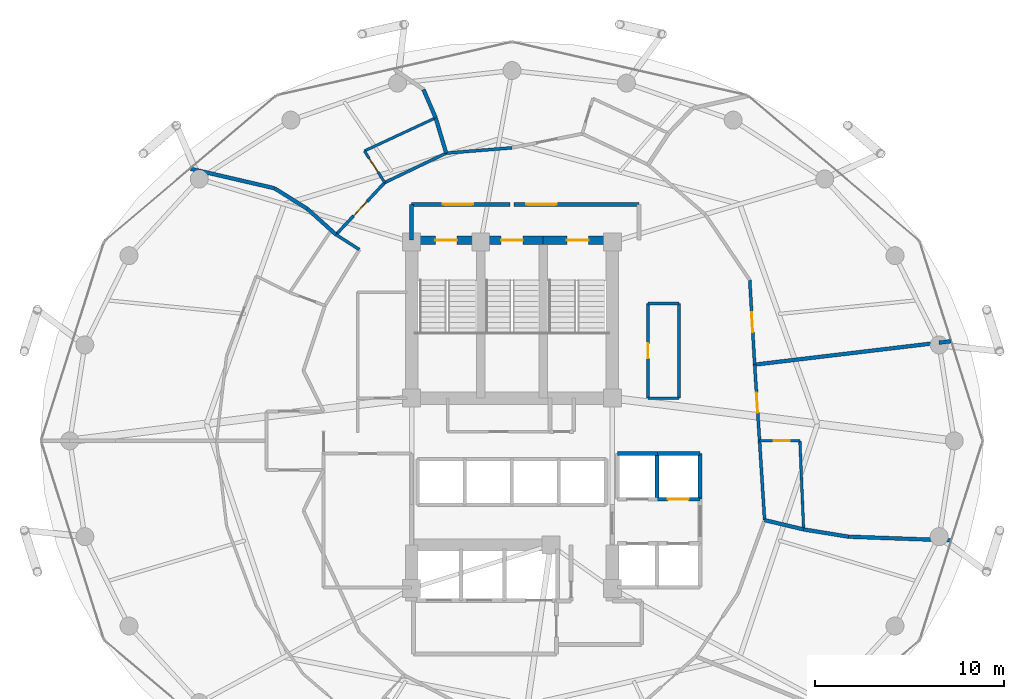
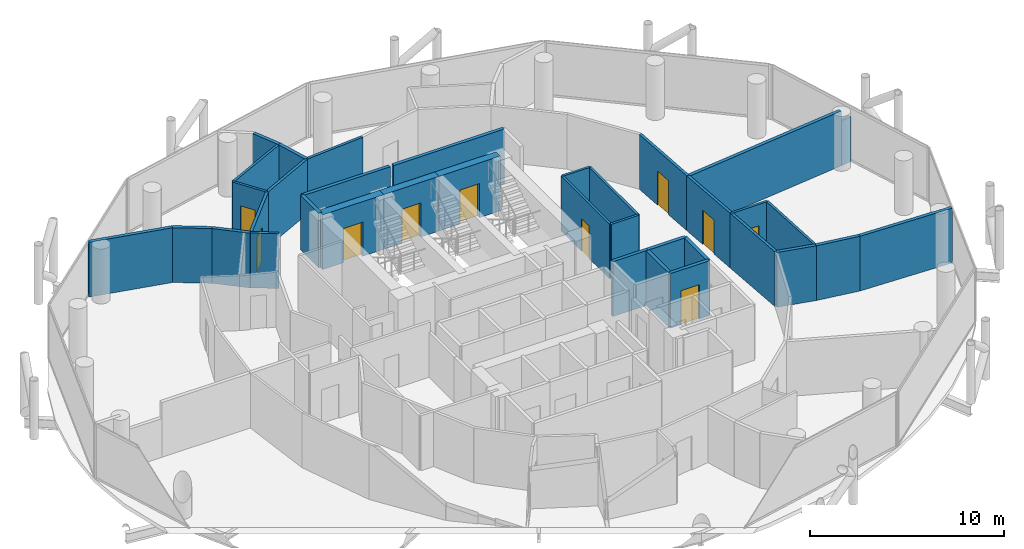
# One storey, part 24 of 26: 36 walls, 12 doors, 12 openings.
"""IFC4 building model written with IfcOpenShell, lengths in metres."""

from ifc_helpers import new_model, si_unit, direction, frame, frame_2d, origin, place, context, subcontext, project, spatial, rectangle, extrude, material, layer, layer_set, type_object, element, fill, save


model = new_model("IFC4")

# Units and contexts
model_context = context("Model", 3, precision=1e-05, world=origin(), true_north=direction((0.0, 1.0)))
body_context = subcontext(model_context, "Body", "Model", "MODEL_VIEW")
ifc_project = project(units=[si_unit("LENGTHUNIT", "METRE"), si_unit("AREAUNIT", "SQUARE_METRE"), si_unit("VOLUMEUNIT", "CUBIC_METRE"), si_unit("PLANEANGLEUNIT", "RADIAN"), si_unit("MASSUNIT", "GRAM", prefix="KILO")], contexts=[model_context])

# Site, building, storey
site_placement = place(None, origin())
site = spatial("IfcSite", under=ifc_project, at=site_placement, CompositionType="ELEMENT")
building_placement = place(site_placement, origin())
building = spatial("IfcBuilding", under=site, at=building_placement, Name="Nuhasar Tower", CompositionType="ELEMENT")
storey_placement = place(building_placement, frame((0.0, 0.0, 121.949951171875)))
storey = spatial("IfcBuildingStorey", under=building, at=storey_placement, Name="L28", CompositionType="ELEMENT", Elevation=121.949951171875)

# Wall, opening, door
ifc_material_1 = material(Name="Concrete C50/60", Category="concrete")
ifc_layer_1 = layer(ifc_material_1, 0.449951171875)
ifc_layer_set_1 = layer_set([ifc_layer_1], Name="Concrete C50/60")
wall_type_1 = type_object("IfcWallType", Name="WL-CORE-450", PredefinedType="SHEAR", material=ifc_layer_set_1)
wall_1_placement = place(storey_placement, frame((37.35009765625, 37.39990234375, 0.0), z_axis=(0.0, 0.0, 1.0), x_axis=(-1.0, 0.0, 0.0)))
wall_1 = element("IfcWall", 1, at=wall_1_placement, inside=storey, type_object=wall_type_1, Name="L28 Stairwell Shear Wall ST01-N", PredefinedType="SHEAR", context=body_context, shape_type="SweptSolid", body=[
    extrude(rectangle(XDim=3.650146484375, YDim=0.449951171875, at=frame_2d((1.8251953125, 0.0))), origin(), (0.0, 0.0, 1.0), 3.449951171875),
])
opening_1_placement = place(wall_1_placement, frame((1.25, 0.0, 0.0)))
opening_1 = element("IfcOpeningElement", 2, at=opening_1_placement, cuts=wall_1, Name="Opening DS-01", PredefinedType="OPENING", context=body_context, shape_type="SweptSolid", body=[
    extrude(rectangle(XDim=1.14990234375, YDim=2.14990234375, at=frame_2d((0.574951171875, 1.074951171875))), frame((0.0, 0.23486328125, 0.0), z_axis=(0.0, -1.0, 0.0), x_axis=(1.0, 0.0, 0.0)), (0.0, 0.0, 1.0), 0.469970703125),
])
ifc_material_2 = material(Name="Steel S355", Category="steel")
door_type_1 = type_object("IfcDoorType", Name="DR-STAIR-FD120-1150", OperationType="NOTDEFINED", PredefinedType="DOOR", material=ifc_material_2)
door_1_placement = place(opening_1_placement, origin())
door_1 = element("IfcDoor", 3, at=door_1_placement, inside=storey, type_object=door_type_1, Name="L28 Exit Stair ST-01 Door", OperationType="SINGLE_SWING_RIGHT", OverallHeight=2.14990234375, OverallWidth=1.14990234375, PredefinedType="DOOR", context=body_context, shape_type="SweptSolid", body=[
    extrude(rectangle(XDim=1.14990234375, YDim=2.14990234375, at=frame_2d((0.574951171875, 1.074951171875))), frame((0.0, 0.02490234375, 0.0), z_axis=(0.0, -1.0, 0.0), x_axis=(1.0, 0.0, 0.0)), (0.0, 0.0, 1.0), 0.050048828125),
])
fill(opening_1, door_1)

wall_2_placement = place(storey_placement, frame((40.64990234375, 37.39990234375, 0.0), z_axis=(0.0, 0.0, 1.0), x_axis=(-1.0, 0.0, 0.0)))
wall_2 = element("IfcWall", 4, at=wall_2_placement, inside=storey, type_object=wall_type_1, Name="L28 Stairwell Shear Wall ST03-N", PredefinedType="SHEAR", context=body_context, shape_type="SweptSolid", body=[
    extrude(rectangle(XDim=3.2998046875, YDim=0.449951171875, at=frame_2d((1.64990234375, 0.0))), origin(), (0.0, 0.0, 1.0), 3.449951171875),
])
opening_2_placement = place(wall_2_placement, frame((1.074951171875, 0.0, 0.0)))
opening_2 = element("IfcOpeningElement", 5, at=opening_2_placement, cuts=wall_2, Name="Opening DS-01", PredefinedType="OPENING", context=body_context, shape_type="SweptSolid", body=[
    extrude(rectangle(XDim=1.14990234375, YDim=2.14990234375, at=frame_2d((0.574951171875, 1.074951171875))), frame((0.0, 0.23486328125, 0.0), z_axis=(0.0, -1.0, 0.0), x_axis=(1.0, 0.0, 0.0)), (0.0, 0.0, 1.0), 0.469970703125),
])
door_2_placement = place(opening_2_placement, origin())
door_2 = element("IfcDoor", 6, at=door_2_placement, inside=storey, type_object=door_type_1, Name="L28 Exit Stair ST-03 Door", OperationType="SINGLE_SWING_RIGHT", OverallHeight=2.14990234375, OverallWidth=1.14990234375, PredefinedType="DOOR", context=body_context, shape_type="SweptSolid", body=[
    extrude(rectangle(XDim=1.14990234375, YDim=2.14990234375, at=frame_2d((0.574951171875, 1.074951171875))), frame((0.0, 0.02490234375, 0.0), z_axis=(0.0, -1.0, 0.0), x_axis=(1.0, 0.0, 0.0)), (0.0, 0.0, 1.0), 0.050048828125),
])
fill(opening_2, door_2)

wall_3_placement = place(storey_placement, frame((44.300048828125, 37.39990234375, 0.0), z_axis=(0.0, 0.0, 1.0), x_axis=(-1.0, 0.0, 0.0)))
wall_3 = element("IfcWall", 7, at=wall_3_placement, inside=storey, type_object=wall_type_1, Name="L28 Stairwell Shear Wall ST02-N", PredefinedType="SHEAR", context=body_context, shape_type="SweptSolid", body=[
    extrude(rectangle(XDim=3.650146484375, YDim=0.449951171875, at=frame_2d((1.8251953125, 0.0))), origin(), (0.0, 0.0, 1.0), 3.449951171875),
])
opening_3_placement = place(wall_3_placement, frame((1.25, 0.0, 0.0)))
opening_3 = element("IfcOpeningElement", 8, at=opening_3_placement, cuts=wall_3, Name="Opening DS-01", PredefinedType="OPENING", context=body_context, shape_type="SweptSolid", body=[
    extrude(rectangle(XDim=1.14990234375, YDim=2.14990234375, at=frame_2d((0.574951171875, 1.074951171875))), frame((0.0, 0.23486328125, 0.0), z_axis=(0.0, -1.0, 0.0), x_axis=(1.0, 0.0, 0.0)), (0.0, 0.0, 1.0), 0.469970703125),
])
door_3_placement = place(opening_3_placement, origin())
door_3 = element("IfcDoor", 9, at=door_3_placement, inside=storey, type_object=door_type_1, Name="L28 Exit Stair ST-02 Door", OperationType="SINGLE_SWING_LEFT", OverallHeight=2.14990234375, OverallWidth=1.14990234375, PredefinedType="DOOR", context=body_context, shape_type="SweptSolid", body=[
    extrude(rectangle(XDim=1.14990234375, YDim=2.14990234375, at=frame_2d((0.574951171875, 1.074951171875))), frame((0.0, 0.02490234375, 0.0), z_axis=(0.0, -1.0, 0.0), x_axis=(1.0, 0.0, 0.0)), (0.0, 0.0, 1.0), 0.050048828125),
])
fill(opening_3, door_3)

# Wall
ifc_material_3 = material(Name="Gypsum Board", Category="gypsum")
ifc_layer_2 = layer(ifc_material_3, 0.159912109375)
ifc_layer_set_2 = layer_set([ifc_layer_2], Name="Gypsum Board")
wall_type_2 = type_object("IfcWallType", Name="WL-CORR-160", PredefinedType="PARTITIONING", material=ifc_layer_set_2)
wall_4_placement = place(storey_placement, frame((52.3369140625, 22.614013671875, 0.0), z_axis=(0.0, 0.0, 1.0), x_axis=(-0.063617518313, 0.997974354061, 0.0)))
element("IfcWall", 10, at=wall_4_placement, inside=storey, type_object=wall_type_2, Name="L28 Interior Partition CORR-46", PredefinedType="PARTITIONING", context=body_context, shape_type="SweptSolid", body=[
    extrude(rectangle(XDim=4.194580078125, YDim=0.159912109375, at=frame_2d((2.09716796875, 0.0))), origin(), (0.0, 0.0, 1.0), 3.449951171875),
])

# Wall, opening, door
wall_5_placement = place(storey_placement, frame((51.81201171875, 30.822021484375, 0.0), z_axis=(0.0, 0.0, 1.0), x_axis=(0.064030047677, -0.997947971086, 0.0)))
wall_5 = element("IfcWall", 11, at=wall_5_placement, inside=storey, type_object=wall_type_2, Name="L28 Interior Partition CORR-00", PredefinedType="PARTITIONING", context=body_context, shape_type="SweptSolid", body=[
    extrude(rectangle(XDim=4.0302734375, YDim=0.159912109375, at=frame_2d((2.01513671875, 0.0))), origin(), (0.0, 0.0, 1.0), 3.449951171875),
])
opening_4_placement = place(wall_5_placement, frame((1.489990234375, 0.0, 0.0)))
opening_4 = element("IfcOpeningElement", 12, at=opening_4_placement, cuts=wall_5, Name="Opening DU-01", PredefinedType="OPENING", context=body_context, shape_type="SweptSolid", body=[
    extrude(rectangle(XDim=1.050048828125, YDim=2.14990234375, at=frame_2d((0.52490234375, 1.074951171875))), frame((0.0, 0.08984375, 0.0), z_axis=(0.0, -1.0, 0.0), x_axis=(1.0, 0.0, 0.0)), (0.0, 0.0, 1.0), 0.179931640625),
])
ifc_material_4 = material(Name="Timber Oak", Category="wood")
door_type_2 = type_object("IfcDoorType", Name="DR-SUITE-FD60-1050", OperationType="NOTDEFINED", PredefinedType="DOOR", material=ifc_material_4)
door_4_placement = place(opening_4_placement, origin())
door_4 = element("IfcDoor", 13, at=door_4_placement, inside=storey, type_object=door_type_2, Name="L28 Deluxe Junior Suite 03 Entrance Door", OperationType="SINGLE_SWING_LEFT", OverallHeight=2.14990234375, OverallWidth=1.050048828125, PredefinedType="DOOR", context=body_context, shape_type="SweptSolid", body=[
    extrude(rectangle(XDim=1.050048828125, YDim=2.14990234375, at=frame_2d((0.52490234375, 1.074951171875))), frame((0.0, 0.02490234375, 0.0), z_axis=(0.0, -1.0, 0.0), x_axis=(1.0, 0.0, 0.0)), (0.0, 0.0, 1.0), 0.050048828125),
])
fill(opening_4, door_4)

wall_6_placement = place(storey_placement, frame((51.552001953125, 35.291015625, 0.0), z_axis=(0.0, 0.0, 1.0), x_axis=(0.058082602913, -0.998311780577, 0.0)))
wall_6 = element("IfcWall", 14, at=wall_6_placement, inside=storey, type_object=wall_type_2, Name="L28 Interior Partition CORR-02", PredefinedType="PARTITIONING", context=body_context, shape_type="SweptSolid", body=[
    extrude(rectangle(XDim=4.4765625, YDim=0.159912109375, at=frame_2d((2.23828125, 0.0))), origin(), (0.0, 0.0, 1.0), 3.449951171875),
])
opening_5_placement = place(wall_6_placement, frame((1.712890625, 0.0, 0.0)))
opening_5 = element("IfcOpeningElement", 15, at=opening_5_placement, cuts=wall_6, Name="Opening DU-01", PredefinedType="OPENING", context=body_context, shape_type="SweptSolid", body=[
    extrude(rectangle(XDim=1.050048828125, YDim=2.14990234375, at=frame_2d((0.52490234375, 1.074951171875))), frame((0.0, 0.08984375, 0.0), z_axis=(0.0, -1.0, 0.0), x_axis=(1.0, 0.0, 0.0)), (0.0, 0.0, 1.0), 0.179931640625),
])
door_5_placement = place(opening_5_placement, origin())
door_5 = element("IfcDoor", 16, at=door_5_placement, inside=storey, type_object=door_type_2, Name="L28 Horizon Breakfast Pantry Entrance Door", OperationType="SINGLE_SWING_RIGHT", OverallHeight=2.14990234375, OverallWidth=1.050048828125, PredefinedType="DOOR", context=body_context, shape_type="SweptSolid", body=[
    extrude(rectangle(XDim=1.050048828125, YDim=2.14990234375, at=frame_2d((0.52490234375, 1.074951171875))), frame((0.0, 0.02490234375, 0.0), z_axis=(0.0, -1.0, 0.0), x_axis=(1.0, 0.0, 0.0)), (0.0, 0.0, 1.0), 0.050048828125),
])
fill(opening_5, door_5)

# Walls
wall_7_placement = place(storey_placement, frame((39.0, 42.27001953125, 0.0), z_axis=(0.0, 0.0, 1.0), x_axis=(-0.99676721303, -0.080343780277, 0.0)))
element("IfcWall", 17, at=wall_7_placement, inside=storey, type_object=wall_type_2, Name="L28 Interior Partition CORR-12", PredefinedType="PARTITIONING", context=body_context, shape_type="SweptSolid", body=[
    extrude(rectangle(XDim=3.4853515625, YDim=0.159912109375, at=frame_2d((1.74267578125, 0.0))), origin(), (0.0, 0.0, 1.0), 3.449951171875),
])
wall_8_placement = place(storey_placement, frame((35.52587890625, 41.989990234375, 0.0), z_axis=(0.0, 0.0, 1.0), x_axis=(-0.901911315708, -0.43192126435, 0.0)))
element("IfcWall", 18, at=wall_8_placement, inside=storey, type_object=wall_type_2, Name="L28 Interior Partition CORR-14", PredefinedType="PARTITIONING", context=body_context, shape_type="SweptSolid", body=[
    extrude(rectangle(XDim=3.59765625, YDim=0.159912109375, at=frame_2d((1.798828125, 0.0))), origin(), (0.0, 0.0, 1.0), 3.449951171875),
])

# Wall, opening, door
wall_9_placement = place(storey_placement, frame((29.7080078125, 37.68701171875, 0.0), z_axis=(0.0, 0.0, 1.0), x_axis=(0.683345616113, 0.730095041032, 0.0)))
wall_9 = element("IfcWall", 19, at=wall_9_placement, inside=storey, type_object=wall_type_2, Name="L28 Interior Partition CORR-16", PredefinedType="PARTITIONING", context=body_context, shape_type="SweptSolid", body=[
    extrude(rectangle(XDim=3.765380859375, YDim=0.159912109375, at=frame_2d((1.8828125, 0.0))), origin(), (0.0, 0.0, 1.0), 3.449951171875),
])
opening_6_placement = place(wall_9_placement, frame((1.35791015625, 0.0, 0.0)))
opening_6 = element("IfcOpeningElement", 20, at=opening_6_placement, cuts=wall_9, Name="Opening DU-01", PredefinedType="OPENING", context=body_context, shape_type="SweptSolid", body=[
    extrude(rectangle(XDim=1.050048828125, YDim=2.14990234375, at=frame_2d((0.52490234375, 1.074951171875))), frame((0.0, 0.08984375, 0.0), z_axis=(0.0, -1.0, 0.0), x_axis=(1.0, 0.0, 0.0)), (0.0, 0.0, 1.0), 0.179931640625),
])
door_6_placement = place(opening_6_placement, origin())
door_6 = element("IfcDoor", 21, at=door_6_placement, inside=storey, type_object=door_type_2, Name="L28 Deluxe Junior Suite 06 Entrance Door", OperationType="SINGLE_SWING_LEFT", OverallHeight=2.14990234375, OverallWidth=1.050048828125, PredefinedType="DOOR", context=body_context, shape_type="SweptSolid", body=[
    extrude(rectangle(XDim=1.050048828125, YDim=2.14990234375, at=frame_2d((0.52490234375, 1.074951171875))), frame((0.0, 0.02490234375, 0.0), z_axis=(0.0, -1.0, 0.0), x_axis=(1.0, 0.0, 0.0)), (0.0, 0.0, 1.0), 0.050048828125),
])
fill(opening_6, door_6)

# Walls
wall_10_placement = place(storey_placement, frame((30.93896484375, 36.89697265625, 0.0), z_axis=(0.0, 0.0, 1.0), x_axis=(-0.841579560028, 0.5401331726, 0.0)))
element("IfcWall", 22, at=wall_10_placement, inside=storey, type_object=wall_type_2, Name="L28 Interior Partition HRAD-18-IN", PredefinedType="PARTITIONING", context=body_context, shape_type="SweptSolid", body=[
    extrude(rectangle(XDim=1.462646484375, YDim=0.159912109375, at=frame_2d((0.7314453125, 0.0))), origin(), (0.0, 0.0, 1.0), 3.449951171875),
])
ifc_material_5 = material(Name="Concrete C45/55", Category="concrete")
ifc_layer_3 = layer(ifc_material_5, 0.199951171875)
ifc_layer_set_3 = layer_set([ifc_layer_3], Name="Concrete C45/55")
wall_type_3 = type_object("IfcWallType", Name="WL-LOBBY-200", PredefinedType="SOLIDWALL", material=ifc_layer_set_3)
wall_11_placement = place(storey_placement, frame((33.699951171875, 37.39990234375, 0.0), z_axis=(0.0, 0.0, 1.0), x_axis=(0.0, 1.0, 0.0)))
element("IfcWall", 23, at=wall_11_placement, inside=storey, type_object=wall_type_3, Name="L28 Interior Partition NSL-W", PredefinedType="SOLIDWALL", context=body_context, shape_type="SweptSolid", body=[
    extrude(rectangle(XDim=1.880126953125, YDim=0.199951171875, at=frame_2d((0.93994140625, 0.0))), origin(), (0.0, 0.0, 1.0), 3.449951171875),
])

# Wall, opening, door
wall_12_placement = place(storey_placement, frame((38.89990234375, 39.280029296875, 0.0), z_axis=(0.0, 0.0, 1.0), x_axis=(-1.0, 0.0, 0.0)))
wall_12 = element("IfcWall", 24, at=wall_12_placement, inside=storey, type_object=wall_type_3, Name="L28 Interior Partition NSL-N1", PredefinedType="SOLIDWALL", context=body_context, shape_type="SweptSolid", body=[
    extrude(rectangle(XDim=5.199951171875, YDim=0.199951171875, at=frame_2d((2.60009765625, 0.0))), origin(), (0.0, 0.0, 1.0), 3.449951171875),
])
opening_7_placement = place(wall_12_placement, frame((1.949951171875, 0.0, 0.0)))
opening_7 = element("IfcOpeningElement", 25, at=opening_7_placement, cuts=wall_12, Name="Opening DC-01", PredefinedType="OPENING", context=body_context, shape_type="SweptSolid", body=[
    extrude(rectangle(XDim=1.60009765625, YDim=2.199951171875, at=frame_2d((0.800048828125, 1.10009765625))), frame((0.0, 0.10986328125, 0.0), z_axis=(0.0, -1.0, 0.0), x_axis=(1.0, 0.0, 0.0)), (0.0, 0.0, 1.0), 0.219970703125),
])
door_type_3 = type_object("IfcDoorType", Name="DR-CORR-FD60-1600", OperationType="DOUBLE_DOOR_SINGLE_SWING", PredefinedType="DOOR", material=ifc_material_2)
door_7_placement = place(opening_7_placement, origin())
door_7 = element("IfcDoor", 26, at=door_7_placement, inside=storey, type_object=door_type_3, Name="L28 North Stair Lobby West Door", OperationType="DOUBLE_DOOR_SINGLE_SWING", OverallHeight=2.199951171875, OverallWidth=1.60009765625, PredefinedType="DOOR", context=body_context, shape_type="SweptSolid", body=[
    extrude(rectangle(XDim=1.60009765625, YDim=2.199951171875, at=frame_2d((0.800048828125, 1.10009765625))), frame((0.0, 0.02490234375, 0.0), z_axis=(0.0, -1.0, 0.0), x_axis=(1.0, 0.0, 0.0)), (0.0, 0.0, 1.0), 0.050048828125),
])
fill(opening_7, door_7)

wall_13_placement = place(storey_placement, frame((45.699951171875, 39.280029296875, 0.0), z_axis=(0.0, 0.0, 1.0), x_axis=(-1.0, 0.0, 0.0)))
wall_13 = element("IfcWall", 27, at=wall_13_placement, inside=storey, type_object=wall_type_3, Name="L28 Interior Partition NSL-N2", PredefinedType="SOLIDWALL", context=body_context, shape_type="SweptSolid", body=[
    extrude(rectangle(XDim=6.599853515625, YDim=0.199951171875, at=frame_2d((3.2998046875, 0.0))), origin(), (0.0, 0.0, 1.0), 3.449951171875),
])
opening_8_placement = place(wall_13_placement, frame((4.35009765625, 0.0, 0.0)))
opening_8 = element("IfcOpeningElement", 28, at=opening_8_placement, cuts=wall_13, Name="Opening DC-01", PredefinedType="OPENING", context=body_context, shape_type="SweptSolid", body=[
    extrude(rectangle(XDim=1.60009765625, YDim=2.199951171875, at=frame_2d((0.800048828125, 1.10009765625))), frame((0.0, 0.10986328125, 0.0), z_axis=(0.0, -1.0, 0.0), x_axis=(1.0, 0.0, 0.0)), (0.0, 0.0, 1.0), 0.219970703125),
])
door_8_placement = place(opening_8_placement, origin())
door_8 = element("IfcDoor", 29, at=door_8_placement, inside=storey, type_object=door_type_3, Name="L28 North Stair Lobby East Door", OperationType="DOUBLE_DOOR_SINGLE_SWING", OverallHeight=2.199951171875, OverallWidth=1.60009765625, PredefinedType="DOOR", context=body_context, shape_type="SweptSolid", body=[
    extrude(rectangle(XDim=1.60009765625, YDim=2.199951171875, at=frame_2d((0.800048828125, 1.10009765625))), frame((0.0, 0.02490234375, 0.0), z_axis=(0.0, -1.0, 0.0), x_axis=(1.0, 0.0, 0.0)), (0.0, 0.0, 1.0), 0.050048828125),
])
fill(opening_8, door_8)

# Walls
ifc_layer_4 = layer(ifc_material_5, 0.199951171875)
ifc_layer_set_4 = layer_set([ifc_layer_4], Name="Concrete C45/55")
wall_type_4 = type_object("IfcWallType", Name="WL-SHAFT-200", PredefinedType="SOLIDWALL", material=ifc_layer_set_4)
wall_14_placement = place(storey_placement, frame((44.570068359375, 26.1298828125, 0.0), z_axis=(0.0, 0.0, 1.0), x_axis=(1.0, 0.0, 0.0)))
element("IfcWall", 30, at=wall_14_placement, inside=storey, type_object=wall_type_4, Name="L28 Interior Partition SHF-PL-M01-N", PredefinedType="SOLIDWALL", context=body_context, shape_type="SweptSolid", body=[
    extrude(rectangle(XDim=2.10986328125, YDim=0.199951171875, at=frame_2d((1.054931640625, 0.0))), origin(), (0.0, 0.0, 1.0), 3.449951171875),
])
wall_15_placement = place(storey_placement, frame((46.64990234375, 23.719970703125, 0.0), z_axis=(0.0, 0.0, 1.0), x_axis=(0.0, 1.0, 0.0)))
element("IfcWall", 31, at=wall_15_placement, inside=storey, type_object=wall_type_4, Name="L28 Interior Partition SHF-PL-M01-E", PredefinedType="SOLIDWALL", context=body_context, shape_type="SweptSolid", body=[
    extrude(rectangle(XDim=2.409912109375, YDim=0.199951171875, at=frame_2d((1.205078125, 0.0))), origin(), (0.0, 0.0, 1.0), 3.449951171875),
])

# Wall, opening, door
wall_16_placement = place(storey_placement, frame((46.6201171875, 23.719970703125, 0.0), z_axis=(0.0, 0.0, 1.0), x_axis=(1.0, 0.0, 0.0)))
wall_16 = element("IfcWall", 32, at=wall_16_placement, inside=storey, type_object=wall_type_4, Name="L28 Interior Partition SHF-PL-M02-S", PredefinedType="SOLIDWALL", context=body_context, shape_type="SweptSolid", body=[
    extrude(rectangle(XDim=2.309814453125, YDim=0.199951171875, at=frame_2d((1.15478515625, 0.0))), origin(), (0.0, 0.0, 1.0), 3.449951171875),
])
opening_9_placement = place(wall_16_placement, frame((0.60498046875, 0.0, 0.0)))
opening_9 = element("IfcOpeningElement", 33, at=opening_9_placement, cuts=wall_16, Name="Opening LD-M02", PredefinedType="OPENING", context=body_context, shape_type="SweptSolid", body=[
    extrude(rectangle(XDim=1.10009765625, YDim=2.14990234375, at=frame_2d((0.550048828125, 1.074951171875))), frame((0.0, 0.10986328125, 0.0), z_axis=(0.0, -1.0, 0.0), x_axis=(1.0, 0.0, 0.0)), (0.0, 0.0, 1.0), 0.219970703125),
])
ifc_material_6 = material(Name="Stainless Steel 316L", Category="steel")
door_type_4 = type_object("IfcDoorType", Name="LD-PAX-1100", OperationType="DOUBLE_DOOR_SLIDING", PredefinedType="DOOR", material=ifc_material_6)
door_9_placement = place(opening_9_placement, origin())
door_9 = element("IfcDoor", 34, at=door_9_placement, inside=storey, type_object=door_type_4, Name="L28 Lift Landing Door PL-M02", OperationType="DOUBLE_DOOR_SLIDING", OverallHeight=2.14990234375, OverallWidth=1.10009765625, PredefinedType="DOOR", context=body_context, shape_type="SweptSolid", body=[
    extrude(rectangle(XDim=1.10009765625, YDim=2.14990234375, at=frame_2d((0.550048828125, 1.074951171875))), frame((0.0, 0.02490234375, 0.0), z_axis=(0.0, -1.0, 0.0), x_axis=(1.0, 0.0, 0.0)), (0.0, 0.0, 1.0), 0.050048828125),
])
fill(opening_9, door_9)

# Walls
wall_17_placement = place(storey_placement, frame((46.6201171875, 26.1298828125, 0.0), z_axis=(0.0, 0.0, 1.0), x_axis=(1.0, 0.0, 0.0)))
element("IfcWall", 35, at=wall_17_placement, inside=storey, type_object=wall_type_4, Name="L28 Interior Partition SHF-PL-M02-N", PredefinedType="SOLIDWALL", context=body_context, shape_type="SweptSolid", body=[
    extrude(rectangle(XDim=2.309814453125, YDim=0.199951171875, at=frame_2d((1.15478515625, 0.0))), origin(), (0.0, 0.0, 1.0), 3.449951171875),
])
wall_18_placement = place(storey_placement, frame((48.929931640625, 23.719970703125, 0.0), z_axis=(0.0, 0.0, 1.0), x_axis=(0.0, 1.0, 0.0)))
element("IfcWall", 36, at=wall_18_placement, inside=storey, type_object=wall_type_4, Name="L28 Interior Partition SHF-PL-M02-E", PredefinedType="SOLIDWALL", context=body_context, shape_type="SweptSolid", body=[
    extrude(rectangle(XDim=2.409912109375, YDim=0.199951171875, at=frame_2d((1.205078125, 0.0))), origin(), (0.0, 0.0, 1.0), 3.449951171875),
])
ifc_material_7 = material(Name="Concrete C40/50 precast", Category="concrete")
ifc_layer_5 = layer(ifc_material_7, 0.199951171875)
ifc_layer_set_5 = layer_set([ifc_layer_5], Name="Concrete C40/50 precast")
wall_type_5 = type_object("IfcWallType", Name="WL-UNIT-200", PredefinedType="PARTITIONING", material=ifc_layer_set_5)
wall_19_placement = place(storey_placement, frame((29.7080078125, 37.68701171875, 0.0), z_axis=(0.0, 0.0, 1.0), x_axis=(-0.74324040167, 0.669024442996, 0.0)))
element("IfcWall", 37, at=wall_19_placement, inside=storey, type_object=wall_type_5, Name="L28 Interior Partition HRAD-18-OUT-S1", PredefinedType="PARTITIONING", context=body_context, shape_type="SweptSolid", body=[
    extrude(rectangle(XDim=2.032958984375, YDim=0.199951171875, at=frame_2d((1.0166015625, 0.0))), origin(), (0.0, 0.0, 1.0), 3.449951171875),
])
wall_20_placement = place(storey_placement, frame((28.197021484375, 39.047119140625, 0.0), z_axis=(0.0, 0.0, 1.0), x_axis=(-0.847831276323, 0.530266090646, 0.0)))
element("IfcWall", 38, at=wall_20_placement, inside=storey, type_object=wall_type_5, Name="L28 Interior Partition HRAD-18-OUT-S2", PredefinedType="PARTITIONING", context=body_context, shape_type="SweptSolid", body=[
    extrude(rectangle(XDim=2.053466796875, YDim=0.199951171875, at=frame_2d((1.02685546875, 0.0))), origin(), (0.0, 0.0, 1.0), 3.449951171875),
])
wall_21_placement = place(storey_placement, frame((26.4560546875, 40.135986328125, 0.0), z_axis=(0.0, 0.0, 1.0), x_axis=(-0.974112463391, 0.226063948177, 0.0)))
element("IfcWall", 39, at=wall_21_placement, inside=storey, type_object=wall_type_5, Name="L28 Interior Partition HRAD-18-OUT-S3", PredefinedType="PARTITIONING", context=body_context, shape_type="SweptSolid", body=[
    extrude(rectangle(XDim=4.529296875, YDim=0.199951171875, at=frame_2d((2.2646484375, 0.0))), origin(), (0.0, 0.0, 1.0), 3.449951171875),
])
wall_22_placement = place(storey_placement, frame((52.3369140625, 22.614013671875, 0.0), z_axis=(0.0, 0.0, 1.0), x_axis=(0.972676255442, -0.232165678123, 0.0)))
element("IfcWall", 40, at=wall_22_placement, inside=storey, type_object=wall_type_5, Name="L28 Interior Partition HRAD-46-S1", PredefinedType="PARTITIONING", context=body_context, shape_type="SweptSolid", body=[
    extrude(rectangle(XDim=2.118896484375, YDim=0.199951171875, at=frame_2d((1.0595703125, 0.0))), origin(), (0.0, 0.0, 1.0), 3.449951171875),
])
wall_23_placement = place(storey_placement, frame((54.39794921875, 22.1220703125, 0.0), z_axis=(0.0, 0.0, 1.0), x_axis=(0.987136277259, -0.159881112451, 0.0)))
element("IfcWall", 41, at=wall_23_placement, inside=storey, type_object=wall_type_5, Name="L28 Interior Partition HRAD-46-S2", PredefinedType="PARTITIONING", context=body_context, shape_type="SweptSolid", body=[
    extrude(rectangle(XDim=2.402099609375, YDim=0.199951171875, at=frame_2d((1.201171875, 0.0))), origin(), (0.0, 0.0, 1.0), 3.449951171875),
])
wall_24_placement = place(storey_placement, frame((56.76904296875, 21.738037109375, 0.0), z_axis=(0.0, 0.0, 1.0), x_axis=(0.999353019486, -0.035965851086, 0.0)))
element("IfcWall", 42, at=wall_24_placement, inside=storey, type_object=wall_type_5, Name="L28 Interior Partition HRAD-46-S3", PredefinedType="PARTITIONING", context=body_context, shape_type="SweptSolid", body=[
    extrude(rectangle(XDim=5.396484375, YDim=0.199951171875, at=frame_2d((2.6982421875, 0.0))), origin(), (0.0, 0.0, 1.0), 3.449951171875),
])
wall_25_placement = place(storey_placement, frame((51.81201171875, 30.822021484375, 0.0), z_axis=(0.0, 0.0, 1.0), x_axis=(0.992973508354, 0.118336856925, 0.0)))
element("IfcWall", 43, at=wall_25_placement, inside=storey, type_object=wall_type_5, Name="L28 Interior Partition HRAD-02", PredefinedType="PARTITIONING", context=body_context, shape_type="SweptSolid", body=[
    extrude(rectangle(XDim=9.8017578125, YDim=0.199951171875, at=frame_2d((4.90087890625, 0.0))), origin(), (0.0, 0.0, 1.0), 3.449951171875),
])
wall_26_placement = place(storey_placement, frame((61.544921875, 31.98193359375, 0.0), z_axis=(0.0, 0.0, 1.0), x_axis=(0.992893555013, 0.119005833532, 0.0)))
element("IfcWall", 44, at=wall_26_placement, inside=storey, type_object=wall_type_5, Name="L28 Interior Partition HRAD-02", PredefinedType="PARTITIONING", context=body_context, shape_type="SweptSolid", body=[
    extrude(rectangle(XDim=0.62158203125, YDim=0.199951171875, at=frame_2d((0.310791015625, 0.0))), origin(), (0.0, 0.0, 1.0), 2.8349609375),
])
wall_27_placement = place(storey_placement, frame((35.52587890625, 41.989990234375, 0.0), z_axis=(0.0, 0.0, 1.0), x_axis=(-0.285930550579, 0.958250343201, 0.0)))
element("IfcWall", 45, at=wall_27_placement, inside=storey, type_object=wall_type_5, Name="L28 Interior Partition HRAD-14-S1", PredefinedType="PARTITIONING", context=body_context, shape_type="SweptSolid", body=[
    extrude(rectangle(XDim=1.944091796875, YDim=0.199951171875, at=frame_2d((0.97216796875, 0.0))), origin(), (0.0, 0.0, 1.0), 3.449951171875),
])
wall_28_placement = place(storey_placement, frame((34.969970703125, 43.85302734375, 0.0), z_axis=(0.0, 0.0, 1.0), x_axis=(-0.39540215096, 0.918508105036, 0.0)))
element("IfcWall", 46, at=wall_28_placement, inside=storey, type_object=wall_type_5, Name="L28 Interior Partition HRAD-14-S2", PredefinedType="PARTITIONING", context=body_context, shape_type="SweptSolid", body=[
    extrude(rectangle(XDim=1.62890625, YDim=0.199951171875, at=frame_2d((0.814453125, 0.0))), origin(), (0.0, 0.0, 1.0), 3.449951171875),
])

# Wall, opening, door
ifc_layer_6 = layer(ifc_material_7, 0.139892578125)
ifc_layer_set_6 = layer_set([ifc_layer_6], Name="Concrete C40/50 precast")
wall_type_6 = type_object("IfcWallType", Name="WL-WET-140", PredefinedType="PARTITIONING", material=ifc_layer_set_6)
wall_29_placement = place(storey_placement, frame((46.179931640625, 34.050048828125, 0.0), z_axis=(0.0, 0.0, 1.0), x_axis=(0.0, -1.0, 0.0)))
wall_29 = element("IfcWall", 47, at=wall_29_placement, inside=storey, type_object=wall_type_6, Name="L28 Interior Partition K3-NE-W", PredefinedType="PARTITIONING", context=body_context, shape_type="SweptSolid", body=[
    extrude(rectangle(XDim=5.0, YDim=0.139892578125, at=frame_2d((2.5, 0.0))), origin(), (0.0, 0.0, 1.0), 3.449951171875),
])
opening_10_placement = place(wall_29_placement, frame((2.10009765625, 0.0, 0.0)))
opening_10 = element("IfcOpeningElement", 48, at=opening_10_placement, cuts=wall_29, Name="Opening DM-01", PredefinedType="OPENING", context=body_context, shape_type="SweptSolid", body=[
    extrude(rectangle(XDim=0.800048828125, YDim=2.050048828125, at=frame_2d((0.39990234375, 1.02490234375))), frame((0.0, 0.080078125, 0.0), z_axis=(0.0, -1.0, 0.0), x_axis=(1.0, 0.0, 0.0)), (0.0, 0.0, 1.0), 0.159912109375),
])
door_type_5 = type_object("IfcDoorType", Name="DR-RISER-FD60-800", OperationType="NOTDEFINED", PredefinedType="DOOR", material=ifc_material_2)
door_10_placement = place(opening_10_placement, origin())
door_10 = element("IfcDoor", 49, at=door_10_placement, inside=storey, type_object=door_type_5, Name="L28 NE Switchgear Room Door", OperationType="SINGLE_SWING_RIGHT", OverallHeight=2.050048828125, OverallWidth=0.800048828125, PredefinedType="DOOR", context=body_context, shape_type="SweptSolid", body=[
    extrude(rectangle(XDim=0.800048828125, YDim=2.050048828125, at=frame_2d((0.39990234375, 1.02490234375))), frame((0.0, 0.02490234375, 0.0), z_axis=(0.0, -1.0, 0.0), x_axis=(1.0, 0.0, 0.0)), (0.0, 0.0, 1.0), 0.050048828125),
])
fill(opening_10, door_10)

# Walls
for number, where, z_axis, x_axis, name in (
    (50, (46.179931640625, 29.050048828125, 0.0), (0.0, 0.0, 1.0), (1.0, 0.0, 0.0), "L28 Interior Partition K3-NE-S"),
    (51, (46.179931640625, 34.050048828125, 0.0), (0.0, 0.0, 1.0), (1.0, 0.0, 0.0), "L28 Interior Partition K3-NE-N"),
):
    element("IfcWall", number, at=place(storey_placement, frame(where, z_axis=z_axis, x_axis=x_axis)), inside=storey, type_object=wall_type_6, Name=name, PredefinedType="PARTITIONING", context=body_context, shape_type="SweptSolid", body=[
        extrude(rectangle(XDim=1.64013671875, YDim=0.139892578125, at=frame_2d((0.820068359375, 0.0))), origin(), (0.0, 0.0, 1.0), 3.449951171875),
    ])
wall_30_placement = place(storey_placement, frame((47.820068359375, 29.050048828125, 0.0), z_axis=(0.0, 0.0, 1.0), x_axis=(0.0, 1.0, 0.0)))
element("IfcWall", 52, at=wall_30_placement, inside=storey, type_object=wall_type_6, Name="L28 Interior Partition K3-NE-E", PredefinedType="PARTITIONING", context=body_context, shape_type="SweptSolid", body=[
    extrude(rectangle(XDim=5.0, YDim=0.139892578125, at=frame_2d((2.5, 0.0))), origin(), (0.0, 0.0, 1.0), 3.449951171875),
])

# Wall, opening, door
wall_31_placement = place(storey_placement, frame((52.070068359375, 26.800048828125, 0.0), z_axis=(0.0, 0.0, 1.0), x_axis=(1.0, 0.0, 0.0)))
wall_31 = element("IfcWall", 53, at=wall_31_placement, inside=storey, type_object=wall_type_6, Name="L28 Interior Partition HBW-04", PredefinedType="PARTITIONING", context=body_context, shape_type="SweptSolid", body=[
    extrude(rectangle(XDim=2.1298828125, YDim=0.139892578125, at=frame_2d((1.06494140625, 0.0))), origin(), (0.0, 0.0, 1.0), 3.449951171875),
])
opening_11_placement = place(wall_31_placement, frame((0.7470703125, 0.0, 0.0)))
opening_11 = element("IfcOpeningElement", 54, at=opening_11_placement, cuts=wall_31, Name="Opening DB-01", PredefinedType="OPENING", context=body_context, shape_type="SweptSolid", body=[
    extrude(rectangle(XDim=0.85009765625, YDim=2.10009765625, at=frame_2d((0.425048828125, 1.050048828125))), frame((0.0, 0.080078125, 0.0), z_axis=(0.0, -1.0, 0.0), x_axis=(1.0, 0.0, 0.0)), (0.0, 0.0, 1.0), 0.159912109375),
])
door_type_6 = type_object("IfcDoorType", Name="DR-BATH-850", OperationType="NOTDEFINED", PredefinedType="DOOR", material=ifc_material_4)
door_11_placement = place(opening_11_placement, origin())
door_11 = element("IfcDoor", 55, at=door_11_placement, inside=storey, type_object=door_type_6, Name="L28 Deluxe Junior Suite 03 En-Suite Door", OperationType="SINGLE_SWING_RIGHT", OverallHeight=2.10009765625, OverallWidth=0.85009765625, PredefinedType="DOOR", context=body_context, shape_type="SweptSolid", body=[
    extrude(rectangle(XDim=0.85009765625, YDim=2.10009765625, at=frame_2d((0.425048828125, 1.050048828125))), frame((0.0, 0.02490234375, 0.0), z_axis=(0.0, -1.0, 0.0), x_axis=(1.0, 0.0, 0.0)), (0.0, 0.0, 1.0), 0.050048828125),
])
fill(opening_11, door_11)

# Wall
wall_32_placement = place(storey_placement, frame((54.39794921875, 22.1220703125, 0.0), z_axis=(0.0, 0.0, 1.0), x_axis=(-0.042287695865, 0.999105475302, 0.0)))
element("IfcWall", 56, at=wall_32_placement, inside=storey, type_object=wall_type_6, Name="L28 Interior Partition HBF-04-46", PredefinedType="PARTITIONING", context=body_context, shape_type="SweptSolid", body=[
    extrude(rectangle(XDim=4.68212890625, YDim=0.139892578125, at=frame_2d((2.341064453125, 0.0))), origin(), (0.0, 0.0, 1.0), 3.449951171875),
])

# Wall, opening, door
wall_33_placement = place(storey_placement, frame((32.281005859375, 40.43603515625, 0.0), z_axis=(0.0, 0.0, 1.0), x_axis=(-0.541591142475, 0.840642037013, 0.0)))
wall_33 = element("IfcWall", 57, at=wall_33_placement, inside=storey, type_object=wall_type_6, Name="L28 Interior Partition HBW-07", PredefinedType="PARTITIONING", context=body_context, shape_type="SweptSolid", body=[
    extrude(rectangle(XDim=1.98291015625, YDim=0.139892578125, at=frame_2d((0.991455078125, 0.0))), origin(), (0.0, 0.0, 1.0), 3.449951171875),
])
opening_12_placement = place(wall_33_placement, frame((0.666015625, 0.0, 0.0)))
opening_12 = element("IfcOpeningElement", 58, at=opening_12_placement, cuts=wall_33, Name="Opening DB-01", PredefinedType="OPENING", context=body_context, shape_type="SweptSolid", body=[
    extrude(rectangle(XDim=0.85009765625, YDim=2.10009765625, at=frame_2d((0.425048828125, 1.050048828125))), frame((0.0, 0.080078125, 0.0), z_axis=(0.0, -1.0, 0.0), x_axis=(1.0, 0.0, 0.0)), (0.0, 0.0, 1.0), 0.159912109375),
])
door_12_placement = place(opening_12_placement, origin())
door_12 = element("IfcDoor", 59, at=door_12_placement, inside=storey, type_object=door_type_6, Name="L28 Deluxe Junior Suite 06 En-Suite Door", OperationType="SINGLE_SWING_RIGHT", OverallHeight=2.10009765625, OverallWidth=0.85009765625, PredefinedType="DOOR", context=body_context, shape_type="SweptSolid", body=[
    extrude(rectangle(XDim=0.85009765625, YDim=2.10009765625, at=frame_2d((0.425048828125, 1.050048828125))), frame((0.0, 0.02490234375, 0.0), z_axis=(0.0, -1.0, 0.0), x_axis=(1.0, 0.0, 0.0)), (0.0, 0.0, 1.0), 0.050048828125),
])
fill(opening_12, door_12)

# Wall
wall_34_placement = place(storey_placement, frame((34.969970703125, 43.85302734375, 0.0), z_axis=(0.0, 0.0, 1.0), x_axis=(-0.906739944813, -0.421690256564, 0.0)))
element("IfcWall", 60, at=wall_34_placement, inside=storey, type_object=wall_type_6, Name="L28 Interior Partition HBF-07-14", PredefinedType="PARTITIONING", context=body_context, shape_type="SweptSolid", body=[
    extrude(rectangle(XDim=4.14990234375, YDim=0.139892578125, at=frame_2d((2.074951171875, 0.0))), origin(), (0.0, 0.0, 1.0), 3.449951171875),
])

save(model, "model.ifc")
